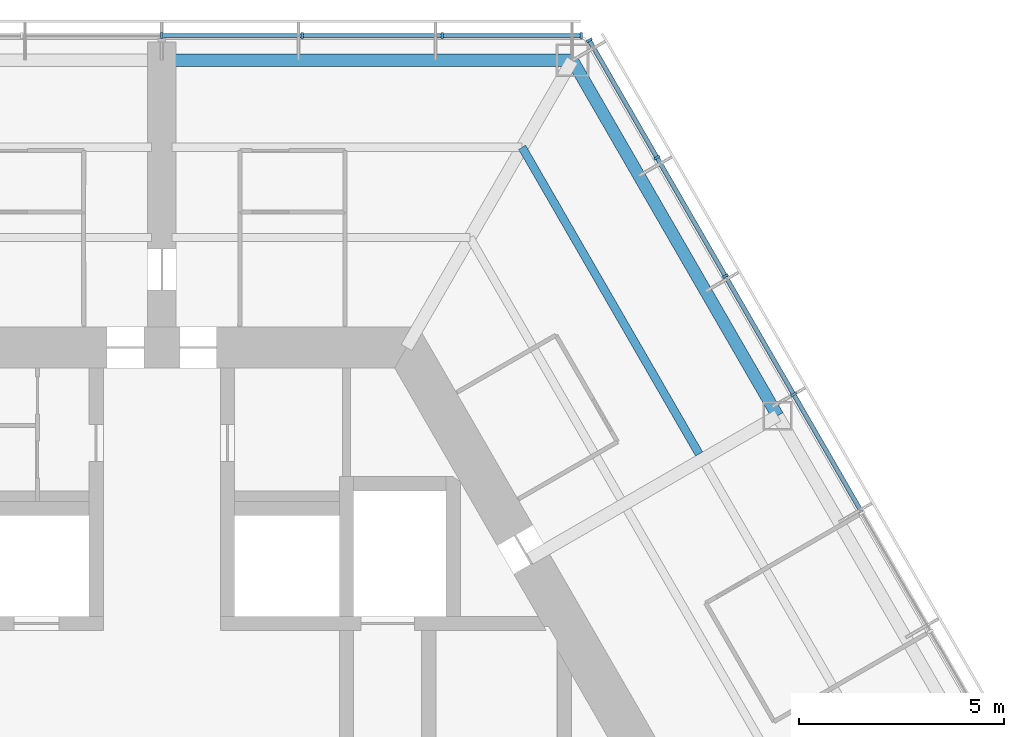
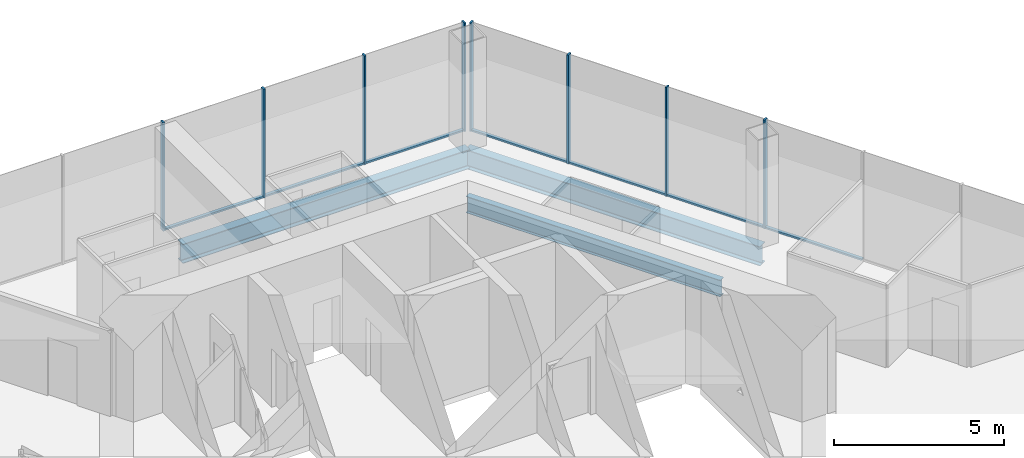
# One storey, part 8 of 18: 15 members, 3 beams, 2 elements without a shape of their own.
"""IFC4 building model written with IfcOpenShell, lengths in metres."""

from ifc_helpers import new_model, si_unit, direction, frame, origin, origin_2d, place, context, subcontext, project, spatial, rectangle, i_section, extrude, material, material_profile, profile_set, type_object, element, aggregate, save


model = new_model("IFC4")

# Units and contexts
model_context = context("Model", 3, precision=1e-05, world=origin(), true_north=direction((0.0, 1.0)))
body_context = subcontext(model_context, "Body", "Model", "MODEL_VIEW")
ifc_project = project(units=[si_unit("LENGTHUNIT", "METRE"), si_unit("AREAUNIT", "SQUARE_METRE"), si_unit("VOLUMEUNIT", "CUBIC_METRE"), si_unit("PLANEANGLEUNIT", "RADIAN"), si_unit("MASSUNIT", "GRAM", prefix="KILO")], contexts=[model_context])

# Site, building, storey
site_placement = place(None, origin())
site = spatial("IfcSite", under=ifc_project, at=site_placement, CompositionType="ELEMENT")
building_placement = place(site_placement, origin())
building = spatial("IfcBuilding", under=site, at=building_placement, Name="Kasaneha Research Tower", CompositionType="ELEMENT")
storey_placement = place(building_placement, frame((0.0, 0.0, 183.800048828125)))
storey = spatial("IfcBuildingStorey", under=building, at=storey_placement, Name="L46", CompositionType="ELEMENT", Elevation=183.800048828125)

# Beam
ifc_material_1 = material(Name="Steel SN490B", Category="steel")
ifc_material_profile_1 = material_profile(ifc_material_1, i_section(OverallWidth=0.199951171875, OverallDepth=0.60009765625, WebThickness=0.010986328125, FlangeThickness=0.01708984375, FilletRadius=0.012939453125, at=origin_2d()), Name="H-600x200x11x17")
ifc_profile_set_1 = profile_set([ifc_material_profile_1], Name="Steel SN490B")
beam_type_1 = type_object("IfcBeamType", Name="B1-3 secondary beam H-600x200x11x17", PredefinedType="JOIST", material=ifc_profile_set_1)
beam_1_placement = place(storey_placement, frame((8.775634765625, 15.199951171875, -0.449951171875), z_axis=(0.500017275495, -0.866015429543, 0.0), x_axis=(0.866015429543, 0.500017275495, 0.0)))
element("IfcBeam", 1, at=beam_1_placement, inside=storey, type_object=beam_type_1, Name="Secondary beam RS030R2 L46", PredefinedType="JOIST", context=body_context, shape_type="SweptSolid", body=[
    extrude(i_section(OverallWidth=0.199951171875, OverallDepth=0.60009765625, WebThickness=0.010986328125, FlangeThickness=0.01708984375, FilletRadius=0.012939453125, at=origin_2d()), origin(), (0.0, 0.0, 1.0), 8.625732421875),
])

# Curtain wall, members
ifc_material_2 = material(Name="Glass and aluminium", Category="aluminium")
curtain_wall_type = type_object("IfcCurtainWallType", Name="Mid-rise office curtain wall", PredefinedType="USERDEFINED", material=ifc_material_2)
curtain_wall_1_placement = place(storey_placement, origin())
curtain_wall_1 = element("IfcCurtainWall", 2, at=curtain_wall_1_placement, inside=storey, type_object=curtain_wall_type, Name="CW-O2 L46 run 06a", ObjectType="UNITISED CURTAIN WALL", PredefinedType="USERDEFINED")
ifc_material_3 = material(Name="Aluminium 6063-T6", Category="aluminium")
ifc_material_profile_2 = material_profile(ifc_material_3, rectangle(XDim=0.06005859375, YDim=0.14990234375, at=origin_2d()), Name="CW-O2 mullion 60x150")
ifc_profile_set_2 = profile_set([ifc_material_profile_2], Name="Aluminium 6063-T6")
member_type_1 = type_object("IfcMemberType", Name="CW-O2 mullion", PredefinedType="MULLION", material=ifc_profile_set_2)
member_1_placement = place(storey_placement, frame((15.392822265625, 9.179931640625, 0.0), z_axis=(0.0, 0.0, 1.0), x_axis=(-0.499999979232, 0.866025415775, 0.0)))
member_1 = element("IfcMember", 3, at=member_1_placement, type_object=member_type_1, Name="CW-O2 mullion 4", PredefinedType="MULLION", context=body_context, shape_type="SweptSolid", body=[
    extrude(rectangle(XDim=0.06005859375, YDim=0.14990234375, at=origin_2d()), origin(), (0.0, 0.0, 1.0), 3.89990234375),
])
member_2_placement = place(storey_placement, frame((13.727294921875, 12.064453125, 0.0), z_axis=(0.0, 0.0, 1.0), x_axis=(-0.499999979232, 0.866025415775, 0.0)))
member_2 = element("IfcMember", 4, at=member_2_placement, type_object=member_type_1, Name="CW-O2 mullion 5", PredefinedType="MULLION", context=body_context, shape_type="SweptSolid", body=[
    extrude(rectangle(XDim=0.06005859375, YDim=0.14990234375, at=origin_2d()), origin(), (0.0, 0.0, 1.0), 3.89990234375),
])
member_3_placement = place(storey_placement, frame((12.061767578125, 14.94921875, 0.0), z_axis=(0.0, 0.0, 1.0), x_axis=(-0.499999979232, 0.866025415775, 0.0)))
member_3 = element("IfcMember", 5, at=member_3_placement, type_object=member_type_1, Name="CW-O2 mullion 6", PredefinedType="MULLION", context=body_context, shape_type="SweptSolid", body=[
    extrude(rectangle(XDim=0.06005859375, YDim=0.14990234375, at=origin_2d()), origin(), (0.0, 0.0, 1.0), 3.89990234375),
])
member_4_placement = place(storey_placement, frame((10.411376953125, 17.807861328125, 0.0), z_axis=(0.0, 0.0, 1.0), x_axis=(-0.499999979232, 0.866025415775, 0.0)))
member_4 = element("IfcMember", 6, at=member_4_placement, type_object=member_type_1, Name="CW-O2 mullion 7", PredefinedType="MULLION", context=body_context, shape_type="SweptSolid", body=[
    extrude(rectangle(XDim=0.06005859375, YDim=0.14990234375, at=origin_2d()), origin(), (0.0, 0.0, 1.0), 3.89990234375),
])

curtain_wall_2_placement = place(storey_placement, origin())
curtain_wall_2 = element("IfcCurtainWall", 7, at=curtain_wall_2_placement, inside=storey, type_object=curtain_wall_type, Name="CW-O2 L46 run 07a", ObjectType="UNITISED CURTAIN WALL", PredefinedType="USERDEFINED")
member_5_placement = place(storey_placement, frame((10.21630859375, 17.92041015625, 0.0), z_axis=(0.0, 0.0, 1.0), x_axis=(-1.0, 0.0, 0.0)))
member_5 = element("IfcMember", 8, at=member_5_placement, type_object=member_type_1, Name="CW-O2 mullion 1", PredefinedType="MULLION", context=body_context, shape_type="SweptSolid", body=[
    extrude(rectangle(XDim=0.06005859375, YDim=0.14990234375, at=origin_2d()), origin(), (0.0, 0.0, 1.0), 3.89990234375),
])
member_6_placement = place(storey_placement, frame((6.8310546875, 17.92041015625, 0.0), z_axis=(0.0, 0.0, 1.0), x_axis=(-1.0, 0.0, 0.0)))
member_6 = element("IfcMember", 9, at=member_6_placement, type_object=member_type_1, Name="CW-O2 mullion 2", PredefinedType="MULLION", context=body_context, shape_type="SweptSolid", body=[
    extrude(rectangle(XDim=0.06005859375, YDim=0.14990234375, at=origin_2d()), origin(), (0.0, 0.0, 1.0), 3.89990234375),
])
member_7_placement = place(storey_placement, frame((3.41552734375, 17.92041015625, 0.0), z_axis=(0.0, 0.0, 1.0), x_axis=(-1.0, 0.0, 0.0)))
member_7 = element("IfcMember", 10, at=member_7_placement, type_object=member_type_1, Name="CW-O2 mullion 3", PredefinedType="MULLION", context=body_context, shape_type="SweptSolid", body=[
    extrude(rectangle(XDim=0.06005859375, YDim=0.14990234375, at=origin_2d()), origin(), (0.0, 0.0, 1.0), 3.89990234375),
])
member_8_placement = place(storey_placement, frame((0.0, 17.92041015625, 0.0), z_axis=(0.0, 0.0, 1.0), x_axis=(-1.0, 0.0, 0.0)))
member_8 = element("IfcMember", 11, at=member_8_placement, type_object=member_type_1, Name="CW-O2 mullion 4", PredefinedType="MULLION", context=body_context, shape_type="SweptSolid", body=[
    extrude(rectangle(XDim=0.06005859375, YDim=0.14990234375, at=origin_2d()), origin(), (0.0, 0.0, 1.0), 3.89990234375),
])

# Member
ifc_material_4 = material(Name="Aluminium 6063-T6", Category="aluminium")
ifc_material_profile_3 = material_profile(ifc_material_4, rectangle(XDim=0.110107421875, YDim=0.06005859375, at=origin_2d()), Name="CW-O2 transom 110x60")
ifc_profile_set_3 = profile_set([ifc_material_profile_3], Name="Aluminium 6063-T6")
member_type_2 = type_object("IfcMemberType", Name="CW-O2 transom", PredefinedType="USERDEFINED", material=ifc_profile_set_3)
member_9_placement = place(storey_placement, frame((17.043212890625, 6.3212890625, 0.030029296875), z_axis=(-0.50003259116, 0.866006586452, 0.0), x_axis=(-0.866006586452, -0.50003259116, 0.0)))
member_9 = element("IfcMember", 12, at=member_9_placement, type_object=member_type_2, Name="CW-O2 transom 3", ObjectType="TRANSOM", PredefinedType="USERDEFINED", context=body_context, shape_type="SweptSolid", body=[
    extrude(rectangle(XDim=0.110107421875, YDim=0.06005859375, at=origin_2d()), origin(), (0.0, 0.0, 1.0), 3.270751953125),
])

member_10_placement = place(storey_placement, frame((15.3779296875, 9.205810546875, 0.030029296875), z_axis=(-0.500000270186, 0.866025247793, 0.0), x_axis=(-0.866025247793, -0.500000270186, 0.0)))
member_10 = element("IfcMember", 13, at=member_10_placement, type_object=member_type_2, Name="CW-O2 transom 4", ObjectType="TRANSOM", PredefinedType="USERDEFINED", context=body_context, shape_type="SweptSolid", body=[
    extrude(rectangle(XDim=0.110107421875, YDim=0.06005859375, at=origin_2d()), origin(), (0.0, 0.0, 1.0), 3.27099609375),
])

member_11_placement = place(storey_placement, frame((13.71240234375, 12.090576171875, 0.030029296875), z_axis=(-0.500000270186, 0.866025247793, 0.0), x_axis=(-0.866025247793, -0.500000270186, 0.0)))
member_11 = element("IfcMember", 14, at=member_11_placement, type_object=member_type_2, Name="CW-O2 transom 5", ObjectType="TRANSOM", PredefinedType="USERDEFINED", context=body_context, shape_type="SweptSolid", body=[
    extrude(rectangle(XDim=0.110107421875, YDim=0.06005859375, at=origin_2d()), origin(), (0.0, 0.0, 1.0), 3.27099609375),
])

member_12_placement = place(storey_placement, frame((12.046875, 14.97509765625, 0.030029296875), z_axis=(-0.499955025697, 0.866051368154, 0.0), x_axis=(-0.866051368154, -0.499955025697, 0.0)))
member_12 = element("IfcMember", 15, at=member_12_placement, type_object=member_type_2, Name="CW-O2 transom 6", ObjectType="TRANSOM", PredefinedType="USERDEFINED", context=body_context, shape_type="SweptSolid", body=[
    extrude(rectangle(XDim=0.110107421875, YDim=0.06005859375, at=origin_2d()), origin(), (0.0, 0.0, 1.0), 3.240966796875),
])

aggregate(curtain_wall_1, [member_1, member_2, member_3, member_4, member_9, member_10, member_11, member_12])

member_13_placement = place(storey_placement, frame((10.1865234375, 17.92041015625, 0.030029296875), z_axis=(-1.0, 0.0, 0.0), x_axis=(0.0, -1.0, 0.0)))
member_13 = element("IfcMember", 16, at=member_13_placement, type_object=member_type_2, Name="CW-O2 transom 1", ObjectType="TRANSOM", PredefinedType="USERDEFINED", context=body_context, shape_type="SweptSolid", body=[
    extrude(rectangle(XDim=0.110107421875, YDim=0.06005859375, at=origin_2d()), origin(), (0.0, 0.0, 1.0), 3.32568359375),
])

member_14_placement = place(storey_placement, frame((6.801025390625, 17.92041015625, 0.030029296875), z_axis=(-1.0, 0.0, 0.0), x_axis=(0.0, -1.0, 0.0)))
member_14 = element("IfcMember", 17, at=member_14_placement, type_object=member_type_2, Name="CW-O2 transom 2", ObjectType="TRANSOM", PredefinedType="USERDEFINED", context=body_context, shape_type="SweptSolid", body=[
    extrude(rectangle(XDim=0.110107421875, YDim=0.06005859375, at=origin_2d()), origin(), (0.0, 0.0, 1.0), 3.35546875),
])

member_15_placement = place(storey_placement, frame((3.385498046875, 17.92041015625, 0.030029296875), z_axis=(-1.0, 0.0, 0.0), x_axis=(0.0, -1.0, 0.0)))
member_15 = element("IfcMember", 18, at=member_15_placement, type_object=member_type_2, Name="CW-O2 transom 3", ObjectType="TRANSOM", PredefinedType="USERDEFINED", context=body_context, shape_type="SweptSolid", body=[
    extrude(rectangle(XDim=0.110107421875, YDim=0.06005859375, at=origin_2d()), origin(), (0.0, 0.0, 1.0), 3.35546875),
])

aggregate(curtain_wall_2, [member_5, member_6, member_7, member_8, member_13, member_14, member_15])

# Beams
ifc_material_5 = material(Name="Steel SN490B", Category="steel")
ifc_material_profile_4 = material_profile(ifc_material_5, i_section(OverallWidth=0.300048828125, OverallDepth=0.69189453125, WebThickness=0.012939453125, FlangeThickness=0.02001953125, FilletRadius=0.01806640625, at=origin_2d()), Name="H-692x300x13x20")
ifc_profile_set_4 = profile_set([ifc_material_profile_4], Name="Steel SN490B")
beam_type_2 = type_object("IfcBeamType", Name="G3-3 plate edge girder H-692x300x13x20", PredefinedType="BEAM", material=ifc_profile_set_4)
beam_2_placement = place(storey_placement, frame((10.0, 17.320556640625, -0.49609375), z_axis=(-1.0, 0.0, 0.0), x_axis=(0.0, -1.0, 0.0)))
element("IfcBeam", 19, at=beam_2_placement, inside=storey, type_object=beam_type_2, Name="Plate edge girder PEAP L46", PredefinedType="BEAM", context=body_context, shape_type="SweptSolid", body=[
    extrude(i_section(OverallWidth=0.300048828125, OverallDepth=0.69189453125, WebThickness=0.012939453125, FlangeThickness=0.02001953125, FilletRadius=0.01806640625, at=origin_2d()), origin(), (0.0, 0.0, 1.0), 9.75),
])
ifc_material_6 = material(Name="Steel SN490B", Category="steel")
ifc_material_profile_5 = material_profile(ifc_material_6, i_section(OverallWidth=0.300048828125, OverallDepth=0.69189453125, WebThickness=0.012939453125, FlangeThickness=0.02001953125, FilletRadius=0.01806640625, at=origin_2d()), Name="H-692x300x13x20")
ifc_profile_set_5 = profile_set([ifc_material_profile_5], Name="Steel SN490B")
beam_type_3 = type_object("IfcBeamType", Name="SB1-3 spandrel beam H-692x300x13x20", PredefinedType="SPANDREL", material=ifc_profile_set_5)
beam_3_placement = place(storey_placement, frame((10.0, 17.320556640625, -0.49609375), z_axis=(0.499993662806, -0.866029062534, 0.0), x_axis=(0.866029062534, 0.499993662806, 0.0)))
element("IfcBeam", 20, at=beam_3_placement, inside=storey, type_object=beam_type_3, Name="Spandrel beam SR030R L46", PredefinedType="SPANDREL", context=body_context, shape_type="SweptSolid", body=[
    extrude(i_section(OverallWidth=0.300048828125, OverallDepth=0.69189453125, WebThickness=0.012939453125, FlangeThickness=0.02001953125, FilletRadius=0.01806640625, at=origin_2d()), origin(), (0.0, 0.0, 1.0), 10.000244140625),
])

save(model, "model.ifc")
